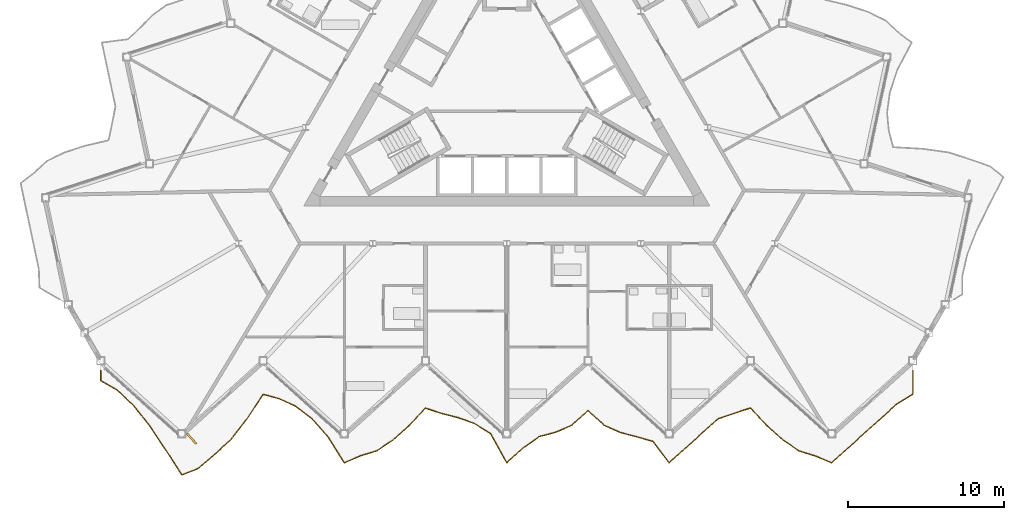
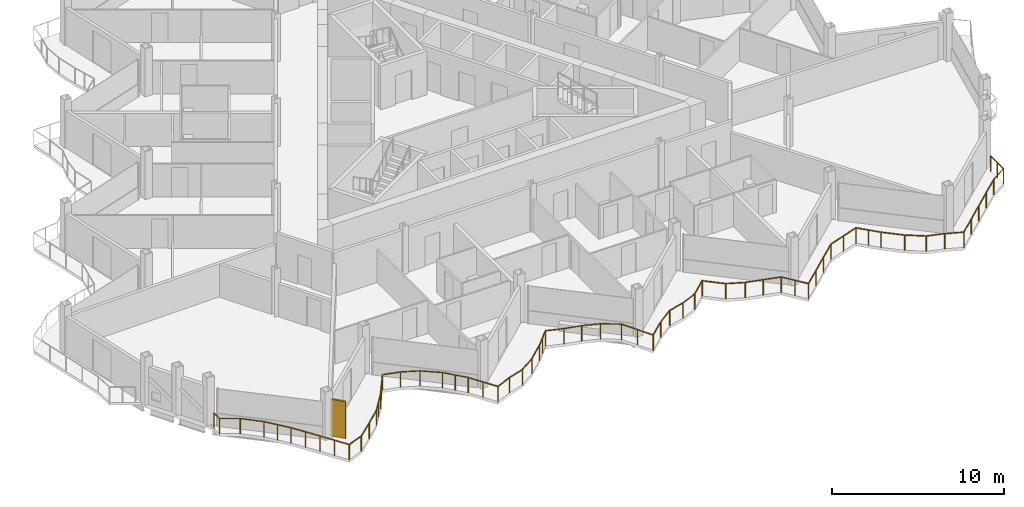
# One storey, part 21 of 25: 1 railing, 1 shading device.
"""IFC4 building model written with IfcOpenShell, lengths in metres."""

from ifc_helpers import new_model, si_unit, direction, frame, origin, origin_2d, place, context, subcontext, project, spatial, rectangle, circle, extrude, material, layer, layer_set, type_object, element, save


model = new_model("IFC4")

# Units and contexts
model_context = context("Model", 3, precision=1e-05, world=origin(), true_north=direction((0.0, 1.0)))
body_context = subcontext(model_context, "Body", "Model", "MODEL_VIEW")
ifc_project = project(units=[si_unit("LENGTHUNIT", "METRE"), si_unit("AREAUNIT", "SQUARE_METRE"), si_unit("VOLUMEUNIT", "CUBIC_METRE"), si_unit("PLANEANGLEUNIT", "RADIAN"), si_unit("MASSUNIT", "GRAM", prefix="KILO")], contexts=[model_context])

# Site, building, storey
site_placement = place(None, origin())
site = spatial("IfcSite", under=ifc_project, at=site_placement, CompositionType="ELEMENT")
building_placement = place(site_placement, origin())
building = spatial("IfcBuilding", under=site, at=building_placement, Name="Cormorant Prow Tower", CompositionType="ELEMENT")
storey_placement = place(building_placement, frame((0.0, 0.0, 391.60009765625)))
storey = spatial("IfcBuildingStorey", under=building, at=storey_placement, Name="L89", CompositionType="ELEMENT", Elevation=391.60009765625)

# Railing
ifc_material_1 = material(Name="Aluminium 6063-T6", Category="aluminium")
railing_type = type_object("IfcRailingType", Name="Balcony guard 1100", PredefinedType="GUARDRAIL", material=ifc_material_1)
railing_placement = place(storey_placement, frame((-26.0, -18.044921875, 0.0)))
element("IfcRailing", 1, at=railing_placement, inside=storey, type_object=railing_type, Name="Balcony guard S", PredefinedType="GUARDRAIL", context=body_context, shape_type="SweptSolid", body=[
    extrude(circle(Radius=0.02392578125, at=origin_2d()), frame((0.0, 0.0, 1.076171875), z_axis=(0.0, -1.0, 0.0), x_axis=(1.0, 0.0, 0.0)), (0.0, 0.0, 1.0), 0.635986328125),
    extrude(circle(Radius=0.02392578125, at=origin_2d()), frame((0.0, -0.635986328125, 1.076171875), z_axis=(0.864396442809, -0.502810888564, 0.0), x_axis=(0.502810888564, 0.864396442809, 0.0)), (0.0, 0.0, 1.0), 1.203125),
    extrude(circle(Radius=0.02392578125, at=origin_2d()), frame((1.0400390625, -1.240966796875, 1.076171875), z_axis=(0.733884713908, -0.679274043882, 0.0), x_axis=(0.679274043882, 0.733884713908, 0.0)), (0.0, 0.0, 1.0), 1.417236328125),
    extrude(circle(Radius=0.02392578125, at=origin_2d()), frame((2.080078125, -2.20361328125, 1.076171875), z_axis=(0.620919454302, -0.783874372122, 0.0), x_axis=(0.783874372122, 0.620919454302, 0.0)), (0.0, 0.0, 1.0), 1.675048828125),
    extrude(circle(Radius=0.02392578125, at=origin_2d()), frame((3.1201171875, -3.5166015625, 1.076171875), z_axis=(0.55647790482, -0.830862408253, 0.0), x_axis=(0.830862408253, 0.55647790482, 0.0)), (0.0, 0.0, 1.0), 1.868408203125),
    extrude(circle(Radius=0.02392578125, at=origin_2d()), frame((4.159912109375, -5.069091796875, 1.076171875), z_axis=(0.542590967202, -0.83999704899, 0.0), x_axis=(0.83999704899, 0.542590967202, 0.0)), (0.0, 0.0, 1.0), 1.916748046875),
    extrude(circle(Radius=0.02392578125, at=origin_2d()), frame((5.199951171875, -6.67919921875, 1.076171875), z_axis=(0.932349263928, 0.361558916434, 0.0), x_axis=(-0.361558916434, 0.932349263928, 0.0)), (0.0, 0.0, 1.0), 1.115478515625),
    extrude(circle(Radius=0.02392578125, at=origin_2d()), frame((6.239990234375, -6.27587890625, 1.076171875), z_axis=(0.757358418956, 0.652999406766, 0.0), x_axis=(-0.652999406766, 0.757358418956, 0.0)), (0.0, 0.0, 1.0), 1.373291015625),
    extrude(circle(Radius=0.02392578125, at=origin_2d()), frame((7.280029296875, -5.379150390625, 1.076171875), z_axis=(0.743120643554, 0.66915746213, 0.0), x_axis=(-0.66915746213, 0.743120643554, 0.0)), (0.0, 0.0, 1.0), 1.399658203125),
    extrude(circle(Radius=0.02392578125, at=origin_2d()), frame((8.320068359375, -4.442626953125, 1.076171875), z_axis=(0.615700134743, 0.787980548032, 0.0), x_axis=(-0.787980548032, 0.615700134743, 0.0)), (0.0, 0.0, 1.0), 1.689208984375),
    extrude(circle(Radius=0.02392578125, at=origin_2d()), frame((9.360107421875, -3.111572265625, 1.076171875), z_axis=(0.547529895788, 0.83678612155, 0.0), x_axis=(-0.83678612155, 0.547529895788, 0.0)), (0.0, 0.0, 1.0), 1.899169921875),
    extrude(circle(Radius=0.02392578125, at=origin_2d()), frame((10.39990234375, -1.5224609375, 1.076171875), z_axis=(0.964868281204, -0.262734085962, 0.0), x_axis=(0.262734085962, 0.964868281204, 0.0)), (0.0, 0.0, 1.0), 1.077880859375),
    extrude(circle(Radius=0.02392578125, at=origin_2d()), frame((11.43994140625, -1.8056640625, 1.076171875), z_axis=(0.909751133276, -0.415154038284, 0.0), x_axis=(0.415154038284, 0.909751133276, 0.0)), (0.0, 0.0, 1.0), 1.143310546875),
    extrude(circle(Radius=0.02392578125, at=origin_2d()), frame((12.47998046875, -2.2802734375, 1.076171875), z_axis=(0.791718050431, -0.610886674124, 0.0), x_axis=(0.610886674124, 0.791718050431, 0.0)), (0.0, 0.0, 1.0), 1.313720703125),
    extrude(circle(Radius=0.02392578125, at=origin_2d()), frame((13.52001953125, -3.082763671875, 1.076171875), z_axis=(0.664557470965, -0.74723715632, 0.0), x_axis=(0.74723715632, 0.664557470965, 0.0)), (0.0, 0.0, 1.0), 1.56494140625),
    extrude(circle(Radius=0.02392578125, at=origin_2d()), frame((14.56005859375, -4.252197265625, 1.076171875), z_axis=(0.533258081945, -0.845952609808, 0.0), x_axis=(0.845952609808, 0.533258081945, 0.0)), (0.0, 0.0, 1.0), 1.950439453125),
    extrude(circle(Radius=0.02392578125, at=origin_2d()), frame((15.60009765625, -5.902099609375, 1.076171875), z_axis=(0.919245475493, 0.393684843226, 0.0), x_axis=(-0.393684843226, 0.919245475493, 0.0)), (0.0, 0.0, 1.0), 1.131103515625),
    extrude(circle(Radius=0.02392578125, at=origin_2d()), frame((16.639892578125, -5.456787109375, 1.076171875), z_axis=(0.955953509984, 0.293518119967, 0.0), x_axis=(-0.293518119967, 0.955953509984, 0.0)), (0.0, 0.0, 1.0), 1.087890625),
    extrude(circle(Radius=0.02392578125, at=origin_2d()), frame((17.679931640625, -5.137451171875, 1.076171875), z_axis=(0.831509373166, 0.555510722073, 0.0), x_axis=(-0.555510722073, 0.831509373166, 0.0)), (0.0, 0.0, 1.0), 1.250732421875),
    extrude(circle(Radius=0.02392578125, at=origin_2d()), frame((18.719970703125, -4.442626953125, 1.076171875), z_axis=(0.743207391022, 0.669061113749, 0.0), x_axis=(-0.669061113749, 0.743207391022, 0.0)), (0.0, 0.0, 1.0), 1.3994140625),
    extrude(circle(Radius=0.02392578125, at=origin_2d()), frame((19.760009765625, -3.50634765625, 1.076171875), z_axis=(0.687395464492, 0.726283329972, 0.0), x_axis=(-0.726283329972, 0.687395464492, 0.0)), (0.0, 0.0, 1.0), 1.512939453125),
    extrude(circle(Radius=0.02392578125, at=origin_2d()), frame((20.800048828125, -2.407470703125, 1.076171875), z_axis=(0.948883575785, -0.315626297391, 0.0), x_axis=(0.315626297391, 0.948883575785, 0.0)), (0.0, 0.0, 1.0), 1.095947265625),
    extrude(circle(Radius=0.02392578125, at=origin_2d()), frame((21.840087890625, -2.75341796875, 1.076171875), z_axis=(0.970449995809, -0.241302311707, 0.0), x_axis=(0.241302311707, 0.970449995809, 0.0)), (0.0, 0.0, 1.0), 1.071533203125),
    extrude(circle(Radius=0.02392578125, at=origin_2d()), frame((22.8798828125, -3.011962890625, 1.076171875), z_axis=(0.941981804589, -0.335663938818, 0.0), x_axis=(0.335663938818, 0.941981804589, 0.0)), (0.0, 0.0, 1.0), 1.10400390625),
    extrude(circle(Radius=0.02392578125, at=origin_2d()), frame((23.919921875, -3.382568359375, 1.076171875), z_axis=(0.848221951078, -0.529640936588, 0.0), x_axis=(0.529640936588, 0.848221951078, 0.0)), (0.0, 0.0, 1.0), 1.22607421875),
    extrude(circle(Radius=0.02392578125, at=origin_2d()), frame((24.9599609375, -4.031982421875, 1.076171875), z_axis=(0.486030364493, -0.873941923008, 0.0), x_axis=(0.873941923008, 0.486030364493, 0.0)), (0.0, 0.0, 1.0), 2.139892578125),
    extrude(circle(Radius=0.02392578125, at=origin_2d()), frame((26.0, -5.902099609375, 1.076171875), z_axis=(0.743120643554, 0.66915746213, 0.0), x_axis=(-0.66915746213, 0.743120643554, 0.0)), (0.0, 0.0, 1.0), 1.399658203125),
    extrude(circle(Radius=0.02392578125, at=origin_2d()), frame((27.0400390625, -4.965576171875, 1.076171875), z_axis=(0.814172299097, 0.580623343816, 0.0), x_axis=(-0.580623343816, 0.814172299097, 0.0)), (0.0, 0.0, 1.0), 1.27734375),
    extrude(circle(Radius=0.02392578125, at=origin_2d()), frame((28.080078125, -4.223876953125, 1.076171875), z_axis=(0.967855696757, 0.251506163453, 0.0), x_axis=(-0.251506163453, 0.967855696757, 0.0)), (0.0, 0.0, 1.0), 1.074462890625),
    extrude(circle(Radius=0.02392578125, at=origin_2d()), frame((29.1201171875, -3.95361328125, 1.076171875), z_axis=(0.918619868095, 0.395142427412, 0.0), x_axis=(-0.395142427412, 0.918619868095, 0.0)), (0.0, 0.0, 1.0), 1.1318359375),
    extrude(circle(Radius=0.02392578125, at=origin_2d()), frame((30.159912109375, -3.50634765625, 1.076171875), z_axis=(0.743120643554, 0.66915746213, 0.0), x_axis=(-0.66915746213, 0.743120643554, 0.0)), (0.0, 0.0, 1.0), 1.399658203125),
    extrude(circle(Radius=0.02392578125, at=origin_2d()), frame((31.199951171875, -2.56982421875, 1.076171875), z_axis=(0.743120643554, -0.66915746213, 0.0), x_axis=(0.66915746213, 0.743120643554, 0.0)), (0.0, 0.0, 1.0), 1.399658203125),
    extrude(circle(Radius=0.02392578125, at=origin_2d()), frame((32.239990234375, -3.50634765625, 1.076171875), z_axis=(0.914076803358, -0.405541116983, 0.0), x_axis=(0.405541116983, 0.914076803358, 0.0)), (0.0, 0.0, 1.0), 1.1376953125),
    extrude(circle(Radius=0.02392578125, at=origin_2d()), frame((33.280029296875, -3.9677734375, 1.076171875), z_axis=(0.967467575044, -0.252995041925, 0.0), x_axis=(0.252995041925, 0.967467575044, 0.0)), (0.0, 0.0, 1.0), 1.074951171875),
    extrude(circle(Radius=0.02392578125, at=origin_2d()), frame((34.320068359375, -4.23974609375, 1.076171875), z_axis=(0.961233911112, -0.275734234596, 0.0), x_axis=(0.275734234596, 0.961233911112, 0.0)), (0.0, 0.0, 1.0), 1.08203125),
    extrude(circle(Radius=0.02392578125, at=origin_2d()), frame((35.360107421875, -4.5380859375, 1.076171875), z_axis=(0.606244765266, -0.79527811776, 0.0), x_axis=(0.79527811776, 0.606244765266, 0.0)), (0.0, 0.0, 1.0), 1.715087890625),
    extrude(circle(Radius=0.02392578125, at=origin_2d()), frame((36.39990234375, -5.902099609375, 1.076171875), z_axis=(0.743120643554, 0.66915746213, 0.0), x_axis=(-0.66915746213, 0.743120643554, 0.0)), (0.0, 0.0, 1.0), 1.399658203125),
    extrude(circle(Radius=0.02392578125, at=origin_2d()), frame((37.43994140625, -4.965576171875, 1.076171875), z_axis=(0.743120643554, 0.66915746213, 0.0), x_axis=(-0.66915746213, 0.743120643554, 0.0)), (0.0, 0.0, 1.0), 1.399658203125),
    extrude(circle(Radius=0.02392578125, at=origin_2d()), frame((38.47998046875, -4.029052734375, 1.076171875), z_axis=(0.743207391022, 0.669061113749, 0.0), x_axis=(-0.669061113749, 0.743207391022, 0.0)), (0.0, 0.0, 1.0), 1.3994140625),
    extrude(circle(Radius=0.02392578125, at=origin_2d()), frame((39.52001953125, -3.0927734375, 1.076171875), z_axis=(0.946460827977, 0.322818681467, 0.0), x_axis=(-0.322818681467, 0.946460827977, 0.0)), (0.0, 0.0, 1.0), 1.098876953125),
    extrude(circle(Radius=0.02392578125, at=origin_2d()), frame((40.56005859375, -2.738037109375, 1.076171875), z_axis=(0.950012851822, 0.312210796374, 0.0), x_axis=(-0.312210796374, 0.950012851822, 0.0)), (0.0, 0.0, 1.0), 1.0947265625),
    extrude(circle(Radius=0.02392578125, at=origin_2d()), frame((41.60009765625, -2.396240234375, 1.076171875), z_axis=(0.683615367354, -0.729842468974, 0.0), x_axis=(0.729842468974, 0.683615367354, 0.0)), (0.0, 0.0, 1.0), 1.52099609375),
    extrude(circle(Radius=0.02392578125, at=origin_2d()), frame((42.639892578125, -3.50634765625, 1.076171875), z_axis=(0.743207391022, -0.669061113749, 0.0), x_axis=(0.669061113749, 0.743207391022, 0.0)), (0.0, 0.0, 1.0), 1.3994140625),
    extrude(circle(Radius=0.02392578125, at=origin_2d()), frame((43.679931640625, -4.442626953125, 1.076171875), z_axis=(0.82699871034, -0.562203818109, 0.0), x_axis=(0.562203818109, 0.82699871034, 0.0)), (0.0, 0.0, 1.0), 1.257568359375),
    extrude(circle(Radius=0.02392578125, at=origin_2d()), frame((44.719970703125, -5.149658203125, 1.076171875), z_axis=(0.955005033628, -0.29658959143, 0.0), x_axis=(0.29658959143, 0.955005033628, 0.0)), (0.0, 0.0, 1.0), 1.089111328125),
    extrude(circle(Radius=0.02392578125, at=origin_2d()), frame((45.760009765625, -5.47265625, 1.076171875), z_axis=(0.924304692506, -0.381655388291, 0.0), x_axis=(0.381655388291, 0.924304692506, 0.0)), (0.0, 0.0, 1.0), 1.125244140625),
    extrude(circle(Radius=0.02392578125, at=origin_2d()), frame((46.800048828125, -5.902099609375, 1.076171875), z_axis=(0.743120643554, 0.66915746213, 0.0), x_axis=(-0.66915746213, 0.743120643554, 0.0)), (0.0, 0.0, 1.0), 1.399658203125),
    extrude(circle(Radius=0.02392578125, at=origin_2d()), frame((47.840087890625, -4.965576171875, 1.076171875), z_axis=(0.74304251841, 0.669244212403, 0.0), x_axis=(-0.669244212403, 0.74304251841, 0.0)), (0.0, 0.0, 1.0), 1.3994140625),
    extrude(circle(Radius=0.02392578125, at=origin_2d()), frame((48.8798828125, -4.029052734375, 1.076171875), z_axis=(0.743207391022, 0.669061113749, 0.0), x_axis=(-0.669061113749, 0.743207391022, 0.0)), (0.0, 0.0, 1.0), 1.3994140625),
    extrude(circle(Radius=0.02392578125, at=origin_2d()), frame((49.919921875, -3.0927734375, 1.076171875), z_axis=(0.743120643554, 0.66915746213, 0.0), x_axis=(-0.66915746213, 0.743120643554, 0.0)), (0.0, 0.0, 1.0), 1.399658203125),
    extrude(circle(Radius=0.02392578125, at=origin_2d()), frame((50.9599609375, -2.15625, 1.076171875), z_axis=(0.84813249623, 0.529784171941, 0.0), x_axis=(-0.529784171941, 0.84813249623, 0.0)), (0.0, 0.0, 1.0), 1.226318359375),
    extrude(circle(Radius=0.02392578125, at=origin_2d()), frame((52.0, -1.506591796875, 1.076171875), z_axis=(0.0, 1.0, 0.0), x_axis=(-1.0, 0.0, 0.0)), (0.0, 0.0, 1.0), 1.506591796875),
    extrude(circle(Radius=0.02099609375, at=origin_2d()), origin(), (0.0, 0.0, 1.0), 1.052001953125),
    extrude(circle(Radius=0.02099609375, at=origin_2d()), frame((0.0, -0.635986328125, 0.0)), (0.0, 0.0, 1.0), 1.052001953125),
    extrude(circle(Radius=0.02099609375, at=origin_2d()), frame((1.0400390625, -1.240966796875, 0.0)), (0.0, 0.0, 1.0), 1.052001953125),
    extrude(circle(Radius=0.02099609375, at=origin_2d()), frame((2.080078125, -2.20361328125, 0.0)), (0.0, 0.0, 1.0), 1.052001953125),
    extrude(circle(Radius=0.02099609375, at=origin_2d()), frame((2.60009765625, -2.860107421875, 0.0)), (0.0, 0.0, 1.0), 1.052001953125),
    extrude(circle(Radius=0.02099609375, at=origin_2d()), frame((3.1201171875, -3.5166015625, 0.0)), (0.0, 0.0, 1.0), 1.052001953125),
    extrude(circle(Radius=0.02099609375, at=origin_2d()), frame((3.64013671875, -4.29296875, 0.0)), (0.0, 0.0, 1.0), 1.052001953125),
    extrude(circle(Radius=0.02099609375, at=origin_2d()), frame((4.159912109375, -5.069091796875, 0.0)), (0.0, 0.0, 1.0), 1.052001953125),
    extrude(circle(Radius=0.02099609375, at=origin_2d()), frame((4.679931640625, -5.8740234375, 0.0)), (0.0, 0.0, 1.0), 1.052001953125),
    extrude(circle(Radius=0.02099609375, at=origin_2d()), frame((5.199951171875, -6.67919921875, 0.0)), (0.0, 0.0, 1.0), 1.052001953125),
    extrude(circle(Radius=0.02099609375, at=origin_2d()), frame((6.239990234375, -6.27587890625, 0.0)), (0.0, 0.0, 1.0), 1.052001953125),
    extrude(circle(Radius=0.02099609375, at=origin_2d()), frame((7.280029296875, -5.379150390625, 0.0)), (0.0, 0.0, 1.0), 1.052001953125),
    extrude(circle(Radius=0.02099609375, at=origin_2d()), frame((8.320068359375, -4.442626953125, 0.0)), (0.0, 0.0, 1.0), 1.052001953125),
    extrude(circle(Radius=0.02099609375, at=origin_2d()), frame((8.840087890625, -3.777099609375, 0.0)), (0.0, 0.0, 1.0), 1.052001953125),
    extrude(circle(Radius=0.02099609375, at=origin_2d()), frame((9.360107421875, -3.111572265625, 0.0)), (0.0, 0.0, 1.0), 1.052001953125),
    extrude(circle(Radius=0.02099609375, at=origin_2d()), frame((9.8798828125, -2.31689453125, 0.0)), (0.0, 0.0, 1.0), 1.052001953125),
    extrude(circle(Radius=0.02099609375, at=origin_2d()), frame((10.39990234375, -1.5224609375, 0.0)), (0.0, 0.0, 1.0), 1.052001953125),
    extrude(circle(Radius=0.02099609375, at=origin_2d()), frame((11.43994140625, -1.8056640625, 0.0)), (0.0, 0.0, 1.0), 1.052001953125),
    extrude(circle(Radius=0.02099609375, at=origin_2d()), frame((12.47998046875, -2.2802734375, 0.0)), (0.0, 0.0, 1.0), 1.052001953125),
    extrude(circle(Radius=0.02099609375, at=origin_2d()), frame((13.52001953125, -3.082763671875, 0.0)), (0.0, 0.0, 1.0), 1.052001953125),
    extrude(circle(Radius=0.02099609375, at=origin_2d()), frame((14.0400390625, -3.66748046875, 0.0)), (0.0, 0.0, 1.0), 1.052001953125),
    extrude(circle(Radius=0.02099609375, at=origin_2d()), frame((14.56005859375, -4.252197265625, 0.0)), (0.0, 0.0, 1.0), 1.052001953125),
    extrude(circle(Radius=0.02099609375, at=origin_2d()), frame((15.080078125, -5.0771484375, 0.0)), (0.0, 0.0, 1.0), 1.052001953125),
    extrude(circle(Radius=0.02099609375, at=origin_2d()), frame((15.60009765625, -5.902099609375, 0.0)), (0.0, 0.0, 1.0), 1.052001953125),
    extrude(circle(Radius=0.02099609375, at=origin_2d()), frame((16.639892578125, -5.456787109375, 0.0)), (0.0, 0.0, 1.0), 1.052001953125),
    extrude(circle(Radius=0.02099609375, at=origin_2d()), frame((17.679931640625, -5.137451171875, 0.0)), (0.0, 0.0, 1.0), 1.052001953125),
    extrude(circle(Radius=0.02099609375, at=origin_2d()), frame((18.719970703125, -4.442626953125, 0.0)), (0.0, 0.0, 1.0), 1.052001953125),
    extrude(circle(Radius=0.02099609375, at=origin_2d()), frame((19.760009765625, -3.50634765625, 0.0)), (0.0, 0.0, 1.0), 1.052001953125),
    extrude(circle(Radius=0.02099609375, at=origin_2d()), frame((20.280029296875, -2.95703125, 0.0)), (0.0, 0.0, 1.0), 1.052001953125),
    extrude(circle(Radius=0.02099609375, at=origin_2d()), frame((20.800048828125, -2.407470703125, 0.0)), (0.0, 0.0, 1.0), 1.052001953125),
    extrude(circle(Radius=0.02099609375, at=origin_2d()), frame((21.840087890625, -2.75341796875, 0.0)), (0.0, 0.0, 1.0), 1.052001953125),
    extrude(circle(Radius=0.02099609375, at=origin_2d()), frame((22.8798828125, -3.011962890625, 0.0)), (0.0, 0.0, 1.0), 1.052001953125),
    extrude(circle(Radius=0.02099609375, at=origin_2d()), frame((23.919921875, -3.382568359375, 0.0)), (0.0, 0.0, 1.0), 1.052001953125),
    extrude(circle(Radius=0.02099609375, at=origin_2d()), frame((24.9599609375, -4.031982421875, 0.0)), (0.0, 0.0, 1.0), 1.052001953125),
    extrude(circle(Radius=0.02099609375, at=origin_2d()), frame((25.47998046875, -4.967041015625, 0.0)), (0.0, 0.0, 1.0), 1.052001953125),
    extrude(circle(Radius=0.02099609375, at=origin_2d()), frame((26.0, -5.902099609375, 0.0)), (0.0, 0.0, 1.0), 1.052001953125),
    extrude(circle(Radius=0.02099609375, at=origin_2d()), frame((27.0400390625, -4.965576171875, 0.0)), (0.0, 0.0, 1.0), 1.052001953125),
    extrude(circle(Radius=0.02099609375, at=origin_2d()), frame((28.080078125, -4.223876953125, 0.0)), (0.0, 0.0, 1.0), 1.052001953125),
    extrude(circle(Radius=0.02099609375, at=origin_2d()), frame((29.1201171875, -3.95361328125, 0.0)), (0.0, 0.0, 1.0), 1.052001953125),
    extrude(circle(Radius=0.02099609375, at=origin_2d()), frame((30.159912109375, -3.50634765625, 0.0)), (0.0, 0.0, 1.0), 1.052001953125),
    extrude(circle(Radius=0.02099609375, at=origin_2d()), frame((31.199951171875, -2.56982421875, 0.0)), (0.0, 0.0, 1.0), 1.052001953125),
    extrude(circle(Radius=0.02099609375, at=origin_2d()), frame((32.239990234375, -3.50634765625, 0.0)), (0.0, 0.0, 1.0), 1.052001953125),
    extrude(circle(Radius=0.02099609375, at=origin_2d()), frame((33.280029296875, -3.9677734375, 0.0)), (0.0, 0.0, 1.0), 1.052001953125),
    extrude(circle(Radius=0.02099609375, at=origin_2d()), frame((34.320068359375, -4.23974609375, 0.0)), (0.0, 0.0, 1.0), 1.052001953125),
    extrude(circle(Radius=0.02099609375, at=origin_2d()), frame((35.360107421875, -4.5380859375, 0.0)), (0.0, 0.0, 1.0), 1.052001953125),
    extrude(circle(Radius=0.02099609375, at=origin_2d()), frame((35.8798828125, -5.22021484375, 0.0)), (0.0, 0.0, 1.0), 1.052001953125),
    extrude(circle(Radius=0.02099609375, at=origin_2d()), frame((36.39990234375, -5.902099609375, 0.0)), (0.0, 0.0, 1.0), 1.052001953125),
    extrude(circle(Radius=0.02099609375, at=origin_2d()), frame((37.43994140625, -4.965576171875, 0.0)), (0.0, 0.0, 1.0), 1.052001953125),
    extrude(circle(Radius=0.02099609375, at=origin_2d()), frame((38.47998046875, -4.029052734375, 0.0)), (0.0, 0.0, 1.0), 1.052001953125),
    extrude(circle(Radius=0.02099609375, at=origin_2d()), frame((39.52001953125, -3.0927734375, 0.0)), (0.0, 0.0, 1.0), 1.052001953125),
    extrude(circle(Radius=0.02099609375, at=origin_2d()), frame((40.56005859375, -2.738037109375, 0.0)), (0.0, 0.0, 1.0), 1.052001953125),
    extrude(circle(Radius=0.02099609375, at=origin_2d()), frame((41.60009765625, -2.396240234375, 0.0)), (0.0, 0.0, 1.0), 1.052001953125),
    extrude(circle(Radius=0.02099609375, at=origin_2d()), frame((42.1201171875, -2.951171875, 0.0)), (0.0, 0.0, 1.0), 1.052001953125),
    extrude(circle(Radius=0.02099609375, at=origin_2d()), frame((42.639892578125, -3.50634765625, 0.0)), (0.0, 0.0, 1.0), 1.052001953125),
    extrude(circle(Radius=0.02099609375, at=origin_2d()), frame((43.679931640625, -4.442626953125, 0.0)), (0.0, 0.0, 1.0), 1.052001953125),
    extrude(circle(Radius=0.02099609375, at=origin_2d()), frame((44.719970703125, -5.149658203125, 0.0)), (0.0, 0.0, 1.0), 1.052001953125),
    extrude(circle(Radius=0.02099609375, at=origin_2d()), frame((45.760009765625, -5.47265625, 0.0)), (0.0, 0.0, 1.0), 1.052001953125),
    extrude(circle(Radius=0.02099609375, at=origin_2d()), frame((46.800048828125, -5.902099609375, 0.0)), (0.0, 0.0, 1.0), 1.052001953125),
    extrude(circle(Radius=0.02099609375, at=origin_2d()), frame((47.840087890625, -4.965576171875, 0.0)), (0.0, 0.0, 1.0), 1.052001953125),
    extrude(circle(Radius=0.02099609375, at=origin_2d()), frame((48.8798828125, -4.029052734375, 0.0)), (0.0, 0.0, 1.0), 1.052001953125),
    extrude(circle(Radius=0.02099609375, at=origin_2d()), frame((49.919921875, -3.0927734375, 0.0)), (0.0, 0.0, 1.0), 1.052001953125),
    extrude(circle(Radius=0.02099609375, at=origin_2d()), frame((50.9599609375, -2.15625, 0.0)), (0.0, 0.0, 1.0), 1.052001953125),
    extrude(circle(Radius=0.02099609375, at=origin_2d()), frame((52.0, -1.506591796875, 0.0)), (0.0, 0.0, 1.0), 1.052001953125),
    extrude(circle(Radius=0.02099609375, at=origin_2d()), frame((52.0, -0.75341796875, 0.0)), (0.0, 0.0, 1.0), 1.052001953125),
    extrude(circle(Radius=0.02099609375, at=origin_2d()), frame((52.0, 0.0, 0.0)), (0.0, 0.0, 1.0), 1.052001953125),
])

# Shading device
ifc_material_2 = material(Name="Terracotta", Category="masonry")
ifc_layer = layer(ifc_material_2, 0.1201171875)
ifc_layer_set = layer_set([ifc_layer], Name="Terracotta")
shading_device_type = type_object("IfcShadingDeviceType", Name="Terracotta baguette fin 120x900x2600", PredefinedType="USERDEFINED", material=ifc_layer_set)
shading_device_placement = place(storey_placement, frame((-20.182373046875, -22.396240234375, -0.000244140625), z_axis=(0.0, 0.0, 1.0), x_axis=(0.743144827638, 0.669130603959, 0.0)))
element("IfcShadingDevice", 2, at=shading_device_placement, inside=storey, type_object=shading_device_type, Name="Baguette fin S01", ObjectType="BAGUETTE", PredefinedType="USERDEFINED", context=body_context, shape_type="SweptSolid", body=[
    extrude(rectangle(XDim=0.1201171875, YDim=0.89990234375, at=origin_2d()), origin(), (0.0, 0.0, 1.0), 2.60009765625),
])

save(model, "model.ifc")
